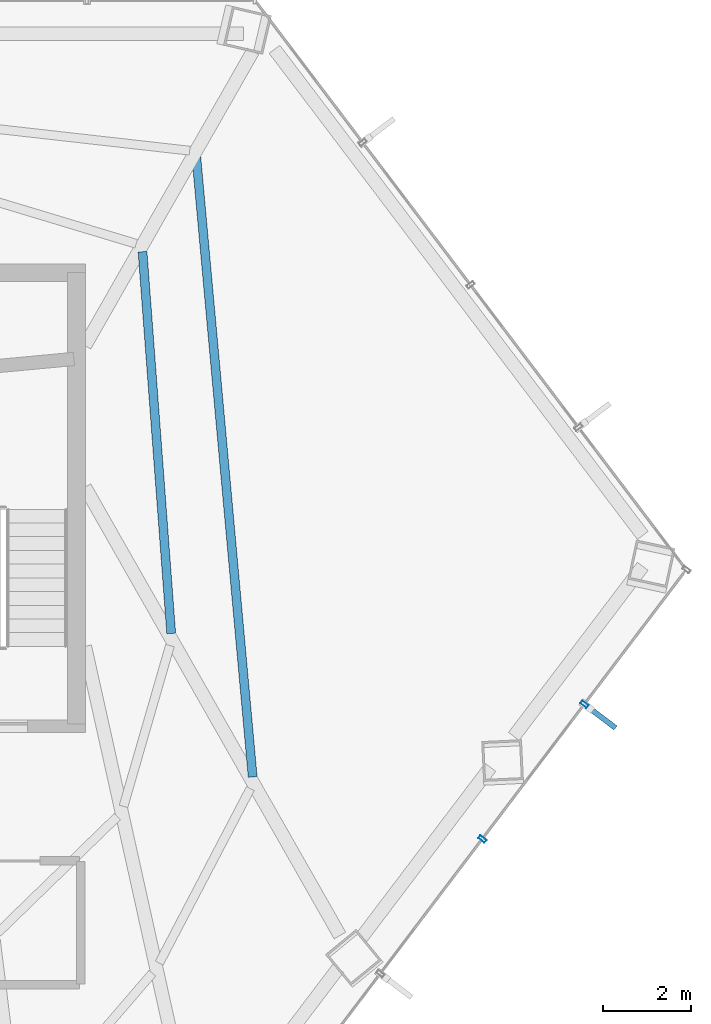
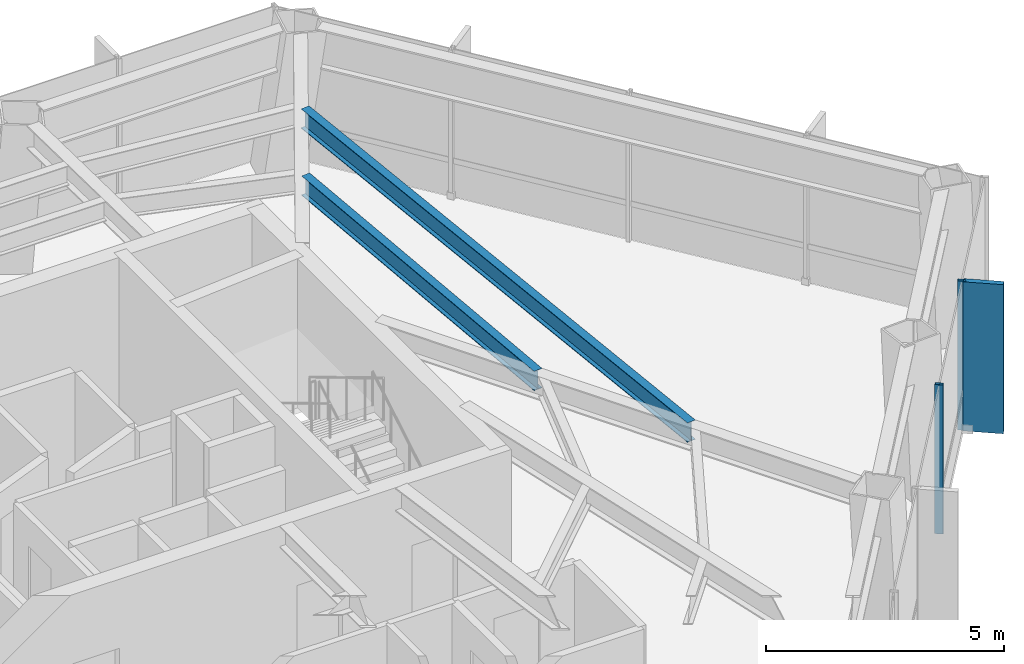
# One storey, part 18 of 26: 3 members, 2 beams, 1 element without a shape of its own.
"""IFC4 building model written with IfcOpenShell, lengths in metres."""

from ifc_helpers import new_model, si_unit, direction, frame, origin, origin_2d, place, context, subcontext, project, spatial, rectangle, hollow_rectangle, i_section, extrude, material, layer, layer_set, material_profile, profile_set, type_object, element, aggregate, save


model = new_model("IFC4")

# Units and contexts
model_context = context("Model", 3, precision=1e-05, world=origin(), true_north=direction((0.0, 1.0)))
body_context = subcontext(model_context, "Body", "Model", "MODEL_VIEW")
ifc_project = project(units=[si_unit("LENGTHUNIT", "METRE"), si_unit("AREAUNIT", "SQUARE_METRE"), si_unit("VOLUMEUNIT", "CUBIC_METRE"), si_unit("PLANEANGLEUNIT", "RADIAN"), si_unit("MASSUNIT", "GRAM", prefix="KILO")], contexts=[model_context])

# Site, building, storey
site_placement = place(None, origin())
site = spatial("IfcSite", under=ifc_project, at=site_placement, CompositionType="ELEMENT")
building_placement = place(site_placement, origin())
building = spatial("IfcBuilding", under=site, at=building_placement, Name="Zarrinselat Tower", CompositionType="ELEMENT")
storey_placement = place(building_placement, frame((0.0, 0.0, 92.820068359375)))
storey = spatial("IfcBuildingStorey", under=building, at=storey_placement, Name="L22", CompositionType="ELEMENT", Elevation=92.820068359375)

# Beams
ifc_material_1 = material(Name="Steel S355J2", Category="steel")
ifc_material_profile_1 = material_profile(ifc_material_1, i_section(OverallWidth=0.199951171875, OverallDepth=0.5, WebThickness=0.01025390625, FlangeThickness=0.01611328125, at=origin_2d()), Name="IPE 500")
ifc_profile_set_1 = profile_set([ifc_material_profile_1], Name="Steel S355J2")
beam_type = type_object("IfcBeamType", Name="BM-IPE500", PredefinedType="JOIST", material=ifc_profile_set_1)
beam_1_placement = place(storey_placement, frame((50.968994140625, 46.054443359375, 3.56982421875), z_axis=(0.090559222659, -0.995891071951, 0.0), x_axis=(0.995891071951, 0.090559222659, 0.0)))
element("IfcBeam", 1, at=beam_1_placement, inside=storey, type_object=beam_type, Name="L22 Composite Floor Joist 5-1", PredefinedType="JOIST", context=body_context, shape_type="SweptSolid", body=[
    extrude(i_section(OverallWidth=0.199951171875, OverallDepth=0.5, WebThickness=0.01025390625, FlangeThickness=0.01611328125, at=origin_2d()), origin(), (0.0, 0.0, 1.0), 14.064697265625),
])
beam_2_placement = place(storey_placement, frame((49.751708984375, 43.923828125, 3.56982421875), z_axis=(0.074884607741, -0.997192205908, 0.0), x_axis=(0.997192205908, 0.074884607741, 0.0)))
element("IfcBeam", 2, at=beam_2_placement, inside=storey, type_object=beam_type, Name="L22 Composite Floor Joist 5-2", PredefinedType="JOIST", context=body_context, shape_type="SweptSolid", body=[
    extrude(i_section(OverallWidth=0.199951171875, OverallDepth=0.5, WebThickness=0.01025390625, FlangeThickness=0.01611328125, at=origin_2d()), origin(), (0.0, 0.0, 1.0), 8.656005859375),
])

# Curtain wall, members
ifc_material_2 = material(Name="Extruded Aluminium Alloy EN AW-6063 T6", Category="aluminium")
ifc_layer = layer(ifc_material_2, 0.18505859375)
ifc_layer_set = layer_set([ifc_layer], Name="Extruded Aluminium Alloy EN AW-6063 T6")
curtain_wall_type = type_object("IfcCurtainWallType", Name="CWS-OFF", PredefinedType="NOTDEFINED", material=ifc_layer_set)
curtain_wall_placement = place(storey_placement, origin())
curtain_wall = element("IfcCurtainWall", 3, at=curtain_wall_placement, inside=storey, type_object=curtain_wall_type, Name="L22 Unitised Curtain Wall CW-L22-E05", PredefinedType="NOTDEFINED")
ifc_material_3 = material(Name="Extruded Aluminium Alloy EN AW-6063 T6", Category="aluminium")
ifc_material_profile_2 = material_profile(ifc_material_3, hollow_rectangle(XDim=0.080078125, YDim=0.179931640625, WallThickness=0.0048828125, at=origin_2d()), Name="RHS 180x80x5")
ifc_profile_set_2 = profile_set([ifc_material_profile_2], Name="Extruded Aluminium Alloy EN AW-6063 T6")
member_type_1 = type_object("IfcMemberType", Name="MEM-CW-MUL", PredefinedType="MULLION", material=ifc_profile_set_2)
member_1_placement = place(storey_placement, frame((57.435302734375, 30.643310546875, 0.0), z_axis=(0.0, 0.0, 1.0), x_axis=(0.603855672579, 0.797093674981, 0.0)))
member_1 = element("IfcMember", 4, at=member_1_placement, type_object=member_type_1, Name="CW-L22-E05 Mullion 4", PredefinedType="MULLION", context=body_context, shape_type="SweptSolid", body=[
    extrude(hollow_rectangle(XDim=0.080078125, YDim=0.179931640625, WallThickness=0.0048828125, at=origin_2d()), origin(), (0.0, 0.0, 1.0), 3.81982421875),
])
member_2_placement = place(storey_placement, frame((59.742919921875, 33.689208984375, 0.0), z_axis=(0.0, 0.0, 1.0), x_axis=(0.603855672579, 0.797093674981, 0.0)))
member_2 = element("IfcMember", 5, at=member_2_placement, type_object=member_type_1, Name="CW-L22-E05 Mullion 5", PredefinedType="MULLION", context=body_context, shape_type="SweptSolid", body=[
    extrude(hollow_rectangle(XDim=0.080078125, YDim=0.179931640625, WallThickness=0.0048828125, at=origin_2d()), origin(), (0.0, 0.0, 1.0), 3.81982421875),
])
ifc_material_4 = material(Name="Honed Cream Travertine Stone", Category="masonry")
ifc_material_profile_3 = material_profile(ifc_material_4, rectangle(XDim=0.1201171875, YDim=0.85009765625, at=origin_2d()), Name="FIN 850x120")
ifc_profile_set_3 = profile_set([ifc_material_profile_3], Name="Honed Cream Travertine Stone")
member_type_2 = type_object("IfcMemberType", Name="MEM-STONE-FIN", PredefinedType="USERDEFINED", material=ifc_profile_set_3)
member_3_placement = place(storey_placement, frame((60.109619140625, 33.41162109375, 0.0), z_axis=(0.0, 0.0, 1.0), x_axis=(-0.603855672579, -0.797093674981, 0.0)))
member_3 = element("IfcMember", 6, at=member_3_placement, type_object=member_type_2, Name="L22 Stone Shading Fin CW-L22-E05-05", ObjectType="FIN", PredefinedType="USERDEFINED", context=body_context, shape_type="SweptSolid", body=[
    extrude(rectangle(XDim=0.1201171875, YDim=0.85009765625, at=origin_2d()), origin(), (0.0, 0.0, 1.0), 3.81982421875),
])
aggregate(curtain_wall, [member_1, member_2, member_3])

save(model, "model.ifc")
